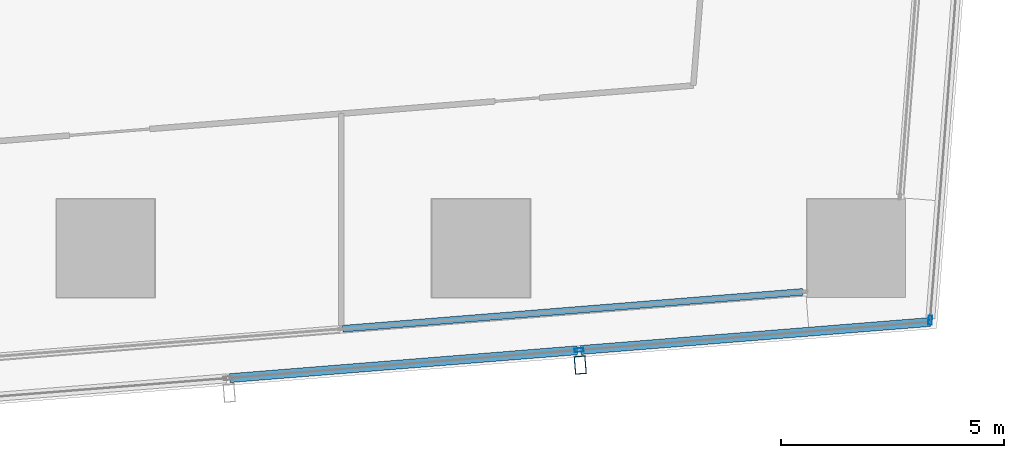
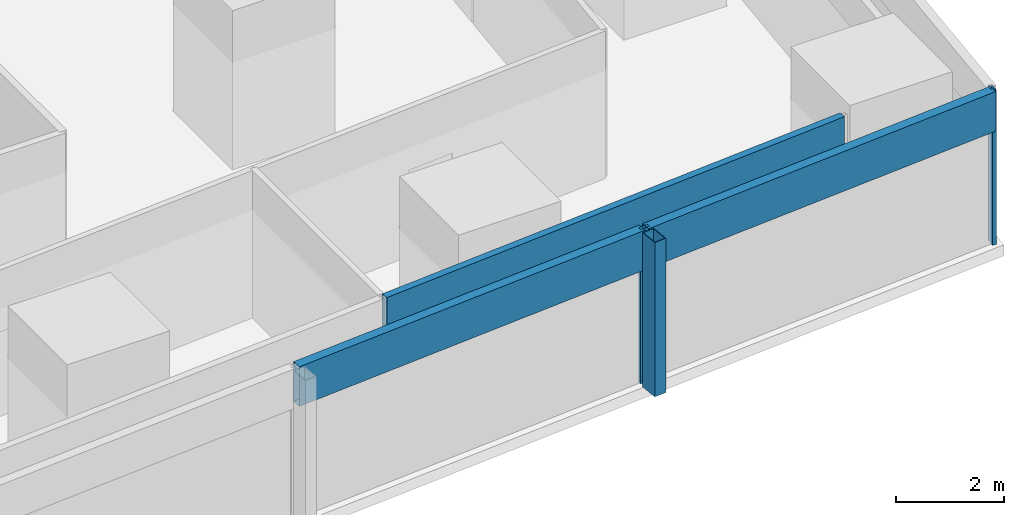
# One storey, part 11 of 44: 6 members, 3 elements without a shape of their own.
"""IFC4 building model written with IfcOpenShell, lengths in metres."""

import ifcopenshell
import ifcopenshell.guid

model = None  # the IFC model being written
_history = None  # IfcOwnerHistory: only IFC2X3 demands one
_inside = {}  # id of a spatial element -> (the spatial element, [elements in it])
_under = {}  # id of a project, library or spatial element -> (it, [spatial elements below it])
_declared = {}  # id of a project -> (the project, [libraries it declares])
_typed = {}  # id of a type object -> (the type object, [elements of that type])
_made_of = {}  # id of a material, layer set ... -> (it, [elements and type objects made of it])


def new_model(schema):
    """Start an empty IFC model of exactly this schema.

    Asked for "IFC4X3", IfcOpenShell would pick the latest addendum, in which some entities
    have other attributes; the version numbers below select the first issue.
    IFC2X3 requires an IfcOwnerHistory on every rooted entity: one is made here for all.
    """
    global model, _history
    if schema == "IFC4X3":
        model = ifcopenshell.file(schema_version=(4, 3, 0, 0))
    else:
        model = ifcopenshell.file(schema=schema)
    _inside.clear()
    _under.clear()
    _declared.clear()
    _typed.clear()
    _made_of.clear()
    _history = None
    if model.schema == "IFC2X3":
        org = make("IfcOrganization", Name="unknown")
        user = make(
            "IfcPersonAndOrganization",
            ThePerson=make("IfcPerson", FamilyName="unknown"),
            TheOrganization=org,
        )
        app = make(
            "IfcApplication",
            ApplicationDeveloper=org,
            Version="unknown",
            ApplicationFullName="unknown",
            ApplicationIdentifier="unknown",
        )
        _history = make(
            "IfcOwnerHistory",
            OwningUser=user,
            OwningApplication=app,
            ChangeAction="ADDED",
            CreationDate=0,
        )
    return model


def make(cls, **values):
    """One entity of the class cls with the attributes given. An attribute that is None is left unset."""
    return model.create_entity(
        cls, **{name: value for name, value in values.items() if value is not None}
    )


def rooted(cls, **values):
    """An entity with a GlobalId (a new one), such as an element, a storey or a relation."""
    return make(cls, GlobalId=ifcopenshell.guid.new(), OwnerHistory=_history, **values)


def si_unit(unit_type, name, prefix=None):
    """IfcSIUnit, for example si_unit("LENGTHUNIT", "METRE", prefix="MILLI")."""
    return make("IfcSIUnit", UnitType=unit_type, Prefix=prefix, Name=name)


def assignment(units):
    """IfcUnitAssignment: the units of a project."""
    return None if units is None else make("IfcUnitAssignment", Units=units)


def point(xyz):
    """IfcCartesianPoint."""
    return None if xyz is None else make("IfcCartesianPoint", Coordinates=xyz)


def direction(xyz):
    """IfcDirection."""
    return None if xyz is None else make("IfcDirection", DirectionRatios=xyz)


def frame(location, z_axis=None, x_axis=None):
    """IfcAxis2Placement3D, a coordinate frame: its origin and axes. An axis left out is left unset."""
    return make(
        "IfcAxis2Placement3D",
        Location=point(location),
        Axis=direction(z_axis),
        RefDirection=direction(x_axis),
    )


def frame_2d(location, x_axis=None):
    """IfcAxis2Placement2D, a coordinate frame in the plane: its origin and x axis."""
    return make(
        "IfcAxis2Placement2D", Location=point(location), RefDirection=direction(x_axis)
    )


def origin():
    """The frame at (0, 0, 0) with its axes left unset."""
    return frame((0.0, 0.0, 0.0))


def origin_2d():
    """The frame at (0, 0) in the plane with its x axis left unset."""
    return frame_2d((0.0, 0.0))


def place(relative_to, where):
    """IfcLocalPlacement: puts the frame where relative to a parent placement (None: the world)."""
    return make(
        "IfcLocalPlacement", PlacementRelTo=relative_to, RelativePlacement=where
    )


def context(
    kind, dimensions, precision=None, world=None, true_north=None, identifier=None
):
    """IfcGeometricRepresentationContext, for example the 3D "Model" context."""
    return make(
        "IfcGeometricRepresentationContext",
        ContextIdentifier=identifier,
        ContextType=kind,
        CoordinateSpaceDimension=dimensions,
        Precision=precision,
        WorldCoordinateSystem=world,
        TrueNorth=true_north,
    )


def subcontext(parent, identifier, kind, view, scale=None):
    """IfcGeometricRepresentationSubContext, for example "Body" below "Model"."""
    return make(
        "IfcGeometricRepresentationSubContext",
        ContextIdentifier=identifier,
        ContextType=kind,
        ParentContext=parent,
        TargetScale=scale,
        TargetView=view,
    )


def project(units=None, contexts=None):
    """IfcProject with its units and contexts."""
    return rooted(
        "IfcProject",
        Name="project",
        RepresentationContexts=contexts,
        UnitsInContext=assignment(units),
    )


def spatial(cls, under=None, at=None, **own):
    """A site, building, storey or space (cls), placed at a placement, below another one or the project."""
    s = rooted(cls, ObjectPlacement=at, **own)
    if under is not None:
        _under.setdefault(under.id(), (under, []))[1].append(s)
    return s


def profile(cls, at=None, kind="AREA", **sizes):
    """A parametric profile (cls). Its sizes go by their IFC names, for example OverallWidth=200.0."""
    return make(cls, ProfileType=kind, Position=at, **sizes)


def hollow_rectangle(**sizes):
    """IfcRectangleHollowProfileDef."""
    return profile("IfcRectangleHollowProfileDef", **sizes)


def extrude(swept, where, along, depth):
    """IfcExtrudedAreaSolid: the profile swept, set in the frame where, extruded along a direction by depth."""
    return make(
        "IfcExtrudedAreaSolid",
        SweptArea=swept,
        Position=where,
        ExtrudedDirection=direction(along),
        Depth=depth,
    )


def shape(context_of_items, identifier, shape_type, items):
    """IfcShapeRepresentation: the items that make up one representation, for example the "Body"."""
    return make(
        "IfcShapeRepresentation",
        ContextOfItems=context_of_items,
        RepresentationIdentifier=identifier,
        RepresentationType=shape_type,
        Items=items,
    )


def material(Name=None, Category=None):
    """IfcMaterial."""
    return make("IfcMaterial", Name=Name, Category=Category)


def material_profile(
    of_material, cross_section, Name=None, Category=None, Priority=None
):
    """IfcMaterialProfile: a cross section and its material."""
    return make(
        "IfcMaterialProfile",
        Name=Name,
        Material=of_material,
        Profile=cross_section,
        Priority=Priority,
        Category=Category,
    )


def profile_set(profiles, Name=None, composite=None):
    """IfcMaterialProfileSet."""
    return make(
        "IfcMaterialProfileSet",
        Name=Name,
        MaterialProfiles=profiles,
        CompositeProfile=composite,
    )


def made_of(thing, what):
    """Note that an element or type object is made of a material, layer set ...; save() writes the relation."""
    if what is not None:
        _made_of.setdefault(what.id(), (what, []))[1].append(thing)
    return thing


def type_object(cls, material=None, **own):
    """A type object (cls), such as IfcWallType, which elements share."""
    return made_of(rooted(cls, **own), material)


def element(
    cls,
    number,
    at=None,
    inside=None,
    cuts=None,
    type_object=None,
    material=None,
    context=None,
    identifier="Body",
    shape_type=None,
    held_by="IfcProductDefinitionShape",
    body=None,
    shapes=None,
    **own,
):
    """One element of the class cls, such as IfcWall. Its Tag is "e" and its number.

    at: its placement. inside: the storey or other place that contains it. cuts: it is an
    opening in that element (IfcRelVoidsElement). A single representation is given by context,
    identifier, shape_type and body (its items); several are given by shapes. held_by: the class
    of the entity that holds the representations. save() writes the other relations.
    """
    e = rooted(cls, Tag="e%d" % number, ObjectPlacement=at, **own)
    if body is not None:
        shapes = [shape(context, identifier, shape_type, body)]
    if shapes is not None:
        e.Representation = make(held_by, Representations=shapes)
    if inside is not None:
        _inside.setdefault(inside.id(), (inside, []))[1].append(e)
    if cuts is not None:
        rooted(
            "IfcRelVoidsElement", RelatingBuildingElement=cuts, RelatedOpeningElement=e
        )
    if type_object is not None:
        _typed.setdefault(type_object.id(), (type_object, []))[1].append(e)
    return made_of(e, material)


def aggregate(whole, parts):
    """IfcRelAggregates: a whole, such as a stair, and the parts it consists of."""
    return rooted("IfcRelAggregates", RelatingObject=whole, RelatedObjects=parts)


def save(model, path):
    """Write the relations noted so far, then the file.

    IfcRelAggregates (storeys below a building ...), IfcRelContainedInSpatialStructure (elements
    in a storey), IfcRelDefinesByType, IfcRelAssociatesMaterial and IfcRelDeclares: one each for
    every whole, place, type object, material and project.
    """
    for whole, parts in _under.values():
        aggregate(whole, parts)
    for where, things in _inside.values():
        rooted(
            "IfcRelContainedInSpatialStructure",
            RelatedElements=things,
            RelatingStructure=where,
        )
    for kind, things in _typed.values():
        rooted("IfcRelDefinesByType", RelatedObjects=things, RelatingType=kind)
    for what, things in _made_of.values():
        rooted("IfcRelAssociatesMaterial", RelatedObjects=things, RelatingMaterial=what)
    for by, libraries in _declared.values():
        rooted("IfcRelDeclares", RelatingContext=by, RelatedDefinitions=libraries)
    model.write(path)


model = new_model("IFC4")

# Units and contexts
model_context = context("Model", 3, precision=1e-05, world=origin(), true_north=direction((0.0, 1.0)))
body_context = subcontext(model_context, "Body", "Model", "MODEL_VIEW")
ifc_project = project(units=[si_unit("LENGTHUNIT", "METRE"), si_unit("AREAUNIT", "SQUARE_METRE"), si_unit("VOLUMEUNIT", "CUBIC_METRE"), si_unit("PLANEANGLEUNIT", "RADIAN"), si_unit("MASSUNIT", "GRAM", prefix="KILO")], contexts=[model_context])

# Site, building, storey
site_placement = place(None, origin())
site = spatial("IfcSite", under=ifc_project, at=site_placement, CompositionType="ELEMENT")
building_placement = place(site_placement, origin())
building = spatial("IfcBuilding", under=site, at=building_placement, Name="Rekha Terrace Tower", CompositionType="ELEMENT")
storey_placement = place(building_placement, frame((0.0, 0.0, 47.89990234375)))
storey = spatial("IfcBuildingStorey", under=building, at=storey_placement, Name="L11", CompositionType="ELEMENT", Elevation=47.89990234375)

# Curtain wall, member
ifc_material_1 = material(Name="Aluminium framing", Category="aluminium")
curtain_wall_type_1 = type_object("IfcCurtainWallType", Name="CW2 double skin outer glazing", PredefinedType="USERDEFINED", material=ifc_material_1)
curtain_wall_1_placement = place(storey_placement, origin())
curtain_wall_1 = element("IfcCurtainWall", 1, at=curtain_wall_1_placement, inside=storey, type_object=curtain_wall_type_1, Name="CW2 double skin outer glazing", ObjectType="DOUBLE SKIN OUTER GLAZING", PredefinedType="USERDEFINED")
ifc_material_2 = material(Name="Steel S355 with fluorocarbon finish", Category="steel")
ifc_material_profile_1 = material_profile(ifc_material_2, hollow_rectangle(XDim=0.25, YDim=0.39990234375, WallThickness=0.012451171875, at=origin_2d()), Name="RHS400x250x12.5")
ifc_profile_set_1 = profile_set([ifc_material_profile_1], Name="Steel S355 with fluorocarbon finish")
member_type_1 = type_object("IfcMemberType", Name="BL1 facade blade RHS 400 x 250", PredefinedType="USERDEFINED", material=ifc_profile_set_1)
member_1_placement = place(storey_placement, frame((61.022705078125, 5.78515625, 0.0), z_axis=(0.0, 0.0, 1.0), x_axis=(0.996805139821, 0.079871855039, 0.0)))
member_1 = element("IfcMember", 2, at=member_1_placement, type_object=member_type_1, Name="Facade blade", ObjectType="FACADE BLADE", PredefinedType="USERDEFINED", context=body_context, shape_type="SweptSolid", body=[
    extrude(hollow_rectangle(XDim=0.25, YDim=0.39990234375, WallThickness=0.012451171875, at=origin_2d()), origin(), (0.0, 0.0, 1.0), 3.5),
])

curtain_wall_type_2 = type_object("IfcCurtainWallType", Name="CW1 double skin inner glazing", PredefinedType="USERDEFINED", material=ifc_material_1)
curtain_wall_2_placement = place(storey_placement, origin())
curtain_wall_2 = element("IfcCurtainWall", 3, at=curtain_wall_2_placement, inside=storey, type_object=curtain_wall_type_2, Name="CW1 double skin inner glazing", ObjectType="DOUBLE SKIN INNER GLAZING", PredefinedType="USERDEFINED")
ifc_material_3 = material(Name="Insulated aluminium spandrel box", Category="aluminium")
ifc_material_profile_2 = material_profile(ifc_material_3, hollow_rectangle(XDim=0.14990234375, YDim=0.89990234375, WallThickness=0.0029296875, at=origin_2d()), Name="AL SPANDREL BOX 150x900")
ifc_profile_set_2 = profile_set([ifc_material_profile_2], Name="Insulated aluminium spandrel box")
member_type_2 = type_object("IfcMemberType", Name="CW1 spandrel transom 150 x 900", PredefinedType="USERDEFINED", material=ifc_profile_set_2)
member_2_placement = place(storey_placement, frame((55.704345703125, 6.59814453125, 3.050048828125), z_axis=(0.996806184606, 0.079858814989, 0.0), x_axis=(-0.079858814989, 0.996806184606, 0.0)))
member_2 = element("IfcMember", 4, at=member_2_placement, type_object=member_type_2, Name="CW1 spandrel transom 2", ObjectType="TRANSOM", PredefinedType="USERDEFINED", context=body_context, shape_type="SweptSolid", body=[
    extrude(hollow_rectangle(XDim=0.14990234375, YDim=0.89990234375, WallThickness=0.0029296875, at=origin_2d()), origin(), (0.0, 0.0, 1.0), 10.336181640625),
])
aggregate(curtain_wall_2, [member_2])

# Member
ifc_material_4 = material(Name="Aluminium mullion section", Category="aluminium")
ifc_material_profile_3 = material_profile(ifc_material_4, hollow_rectangle(XDim=0.080078125, YDim=0.199951171875, WallThickness=0.00390625, at=origin_2d()), Name="AL RHS 80x200")
ifc_profile_set_3 = profile_set([ifc_material_profile_3], Name="Aluminium mullion section")
member_type_3 = type_object("IfcMemberType", Name="CW2 mullion RHS 80 x 200", PredefinedType="MULLION", material=ifc_profile_set_3)
member_3_placement = place(storey_placement, frame((60.99609375, 6.119140625, 0.0), z_axis=(0.0, 0.0, 1.0), x_axis=(-0.079872204468, 0.996805111821, 0.0)))
member_3 = element("IfcMember", 5, at=member_3_placement, type_object=member_type_3, Name="CW2 mullion 3", PredefinedType="MULLION", context=body_context, shape_type="SweptSolid", body=[
    extrude(hollow_rectangle(XDim=0.080078125, YDim=0.199951171875, WallThickness=0.00390625, at=origin_2d()), origin(), (0.0, 0.0, 1.0), 3.5),
])

# Curtain wall, member
curtain_wall_3_placement = place(storey_placement, origin())
curtain_wall_3 = element("IfcCurtainWall", 6, at=curtain_wall_3_placement, inside=storey, type_object=curtain_wall_type_1, Name="CW2 double skin outer glazing", ObjectType="DOUBLE SKIN OUTER GLAZING", PredefinedType="USERDEFINED")
member_4_placement = place(storey_placement, frame((68.8544921875, 6.78857421875, 0.0), z_axis=(0.0, 0.0, 1.0), x_axis=(-0.996865392575, 0.079116301017, 0.0)))
member_4 = element("IfcMember", 7, at=member_4_placement, type_object=member_type_3, Name="CW2 mullion 1", PredefinedType="MULLION", context=body_context, shape_type="SweptSolid", body=[
    extrude(hollow_rectangle(XDim=0.080078125, YDim=0.199951171875, WallThickness=0.00390625, at=origin_2d()), origin(), (0.0, 0.0, 1.0), 3.5),
])
aggregate(curtain_wall_3, [member_4])

# Member
ifc_material_profile_4 = material_profile(ifc_material_3, hollow_rectangle(XDim=0.199951171875, YDim=0.89990234375, WallThickness=0.0029296875, at=origin_2d()), Name="AL SPANDREL BOX 200x900")
ifc_profile_set_4 = profile_set([ifc_material_profile_4], Name="Insulated aluminium spandrel box")
member_type_4 = type_object("IfcMemberType", Name="CW2 spandrel transom 200 x 900", PredefinedType="USERDEFINED", material=ifc_profile_set_4)
member_5_placement = place(storey_placement, frame((53.1806640625, 5.492919921875, 3.050048828125), z_axis=(0.996804920132, 0.079874596715, 0.0), x_axis=(-0.079874596715, 0.996804920132, 0.0)))
member_5 = element("IfcMember", 8, at=member_5_placement, type_object=member_type_4, Name="CW2 spandrel transom 2", ObjectType="TRANSOM", PredefinedType="USERDEFINED", context=body_context, shape_type="SweptSolid", body=[
    extrude(hollow_rectangle(XDim=0.199951171875, YDim=0.89990234375, WallThickness=0.0029296875, at=origin_2d()), origin(), (0.0, 0.0, 1.0), 7.80029296875),
])

member_6_placement = place(storey_placement, frame((61.035888671875, 6.122314453125, 3.050048828125), z_axis=(0.996805270739, 0.07987022115, 0.0), x_axis=(-0.07987022115, 0.996805270739, 0.0)))
member_6 = element("IfcMember", 9, at=member_6_placement, type_object=member_type_4, Name="CW2 spandrel transom 3", ObjectType="TRANSOM", PredefinedType="USERDEFINED", context=body_context, shape_type="SweptSolid", body=[
    extrude(hollow_rectangle(XDim=0.199951171875, YDim=0.89990234375, WallThickness=0.0029296875, at=origin_2d()), origin(), (0.0, 0.0, 1.0), 7.840576171875),
])

aggregate(curtain_wall_1, [member_3, member_5, member_6, member_1])

save(model, "model.ifc")
